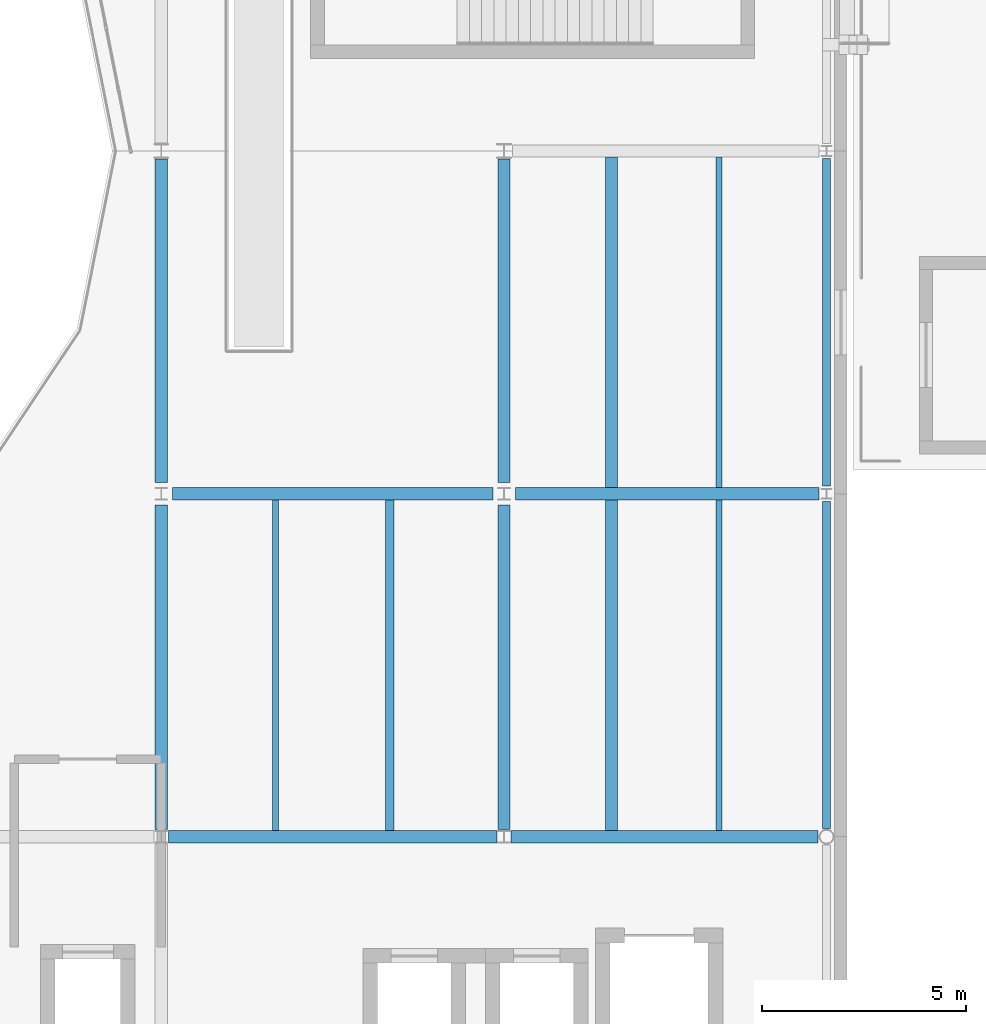
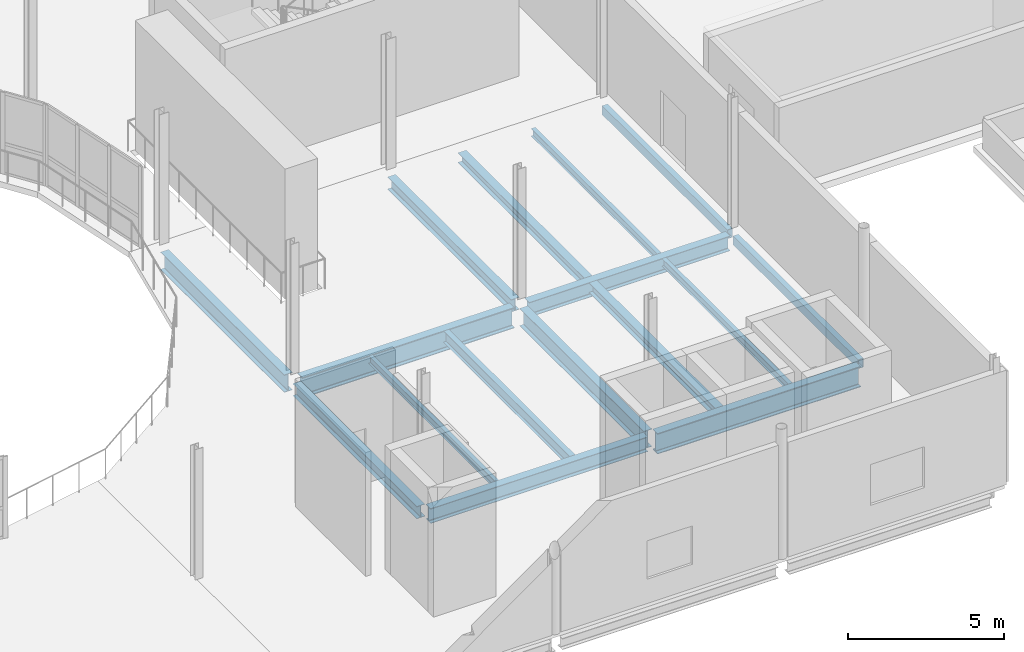
# One storey, part 25 of 91: 16 beams.
"""IFC4 building model written with IfcOpenShell, lengths in metres."""

from ifc_helpers import new_model, si_unit, direction, frame, origin, origin_2d, place, context, subcontext, project, spatial, hollow_rectangle, i_section, extrude, material, material_profile, profile_set, type_object, element, save


model = new_model("IFC4")

# Units and contexts
model_context = context("Model", 3, precision=1e-05, world=origin(), true_north=direction((0.0, 1.0)))
body_context = subcontext(model_context, "Body", "Model", "MODEL_VIEW")
ifc_project = project(units=[si_unit("LENGTHUNIT", "METRE"), si_unit("AREAUNIT", "SQUARE_METRE"), si_unit("VOLUMEUNIT", "CUBIC_METRE"), si_unit("PLANEANGLEUNIT", "RADIAN"), si_unit("MASSUNIT", "GRAM", prefix="KILO"), si_unit("THERMODYNAMICTEMPERATUREUNIT", "KELVIN")], contexts=[model_context])

# Site, building, storey
site_placement = place(None, origin())
site = spatial("IfcSite", under=ifc_project, at=site_placement, CompositionType="ELEMENT")
building_placement = place(site_placement, origin())
building = spatial("IfcBuilding", under=site, at=building_placement, Name="Lustrewick Department Store", CompositionType="ELEMENT")
storey_placement = place(building_placement, frame((0.0, 0.0, 21.60009765625)))
storey = spatial("IfcBuildingStorey", under=building, at=storey_placement, Name="L05", CompositionType="ELEMENT", Elevation=21.60009765625)

# Beams
ifc_material_1 = material(Name="Structural steel Q355B", Category="steel")
ifc_material_profile_1 = material_profile(ifc_material_1, i_section(OverallWidth=0.199951171875, OverallDepth=0.449951171875, WebThickness=0.009033203125, FlangeThickness=0.013916015625, FilletRadius=0.01611328125, at=origin_2d()), Name="HN 450x200x9x14")
ifc_profile_set_1 = profile_set([ifc_material_profile_1], Name="Structural steel Q355B")
beam_type_1 = type_object("IfcBeamType", Name="B03", PredefinedType="JOIST", material=ifc_profile_set_1)
beam_1_placement = place(storey_placement, frame((47.60009765625, 50.550048828125, -0.47998046875), z_axis=(0.0, 1.0, 0.0), x_axis=(-1.0, 0.0, 0.0)))
element("IfcBeam", 1, at=beam_1_placement, inside=storey, type_object=beam_type_1, Name="L05 V1 Secondary Joist B03", PredefinedType="JOIST", context=body_context, shape_type="SweptSolid", body=[
    extrude(i_section(OverallWidth=0.199951171875, OverallDepth=0.449951171875, WebThickness=0.009033203125, FlangeThickness=0.013916015625, FilletRadius=0.01611328125, at=origin_2d()), origin(), (0.0, 0.0, 1.0), 8.098876953125),
])
ifc_material_profile_2 = material_profile(ifc_material_1, i_section(OverallWidth=0.300048828125, OverallDepth=0.389892578125, WebThickness=0.010009765625, FlangeThickness=0.01611328125, FilletRadius=0.01806640625, at=origin_2d()), Name="HM 390x300x10x16")
ifc_profile_set_2 = profile_set([ifc_material_profile_2], Name="Structural steel Q355B")
beam_type_2 = type_object("IfcBeamType", Name="B07", PredefinedType="JOIST", material=ifc_profile_set_2)
beam_2_placement = place(storey_placement, frame((53.033203125, 50.551025390625, -0.4501953125), z_axis=(0.0, 1.0, 0.0), x_axis=(-1.0, 0.0, 0.0)))
element("IfcBeam", 2, at=beam_2_placement, inside=storey, type_object=beam_type_2, Name="L05 V1 Secondary Joist B07", PredefinedType="JOIST", context=body_context, shape_type="SweptSolid", body=[
    extrude(i_section(OverallWidth=0.300048828125, OverallDepth=0.389892578125, WebThickness=0.010009765625, FlangeThickness=0.01611328125, FilletRadius=0.01806640625, at=origin_2d()), origin(), (0.0, 0.0, 1.0), 8.098876953125),
])
beam_3_placement = place(storey_placement, frame((53.033203125, 58.949951171875, -0.4501953125), z_axis=(0.0, 1.0, 0.0), x_axis=(-1.0, 0.0, 0.0)))
element("IfcBeam", 3, at=beam_3_placement, inside=storey, type_object=beam_type_2, Name="L05 V1 Secondary Joist B07", PredefinedType="JOIST", context=body_context, shape_type="SweptSolid", body=[
    extrude(i_section(OverallWidth=0.300048828125, OverallDepth=0.389892578125, WebThickness=0.010009765625, FlangeThickness=0.01611328125, FilletRadius=0.01806640625, at=origin_2d()), origin(), (0.0, 0.0, 1.0), 8.09912109375),
])
ifc_material_profile_3 = material_profile(ifc_material_1, i_section(OverallWidth=0.14990234375, OverallDepth=0.300048828125, WebThickness=0.006591796875, FlangeThickness=0.009033203125, FilletRadius=0.011962890625, at=origin_2d()), Name="HN 300x150x6.5x9")
ifc_profile_set_3 = profile_set([ifc_material_profile_3], Name="Structural steel Q355B")
beam_type_3 = type_object("IfcBeamType", Name="B11", PredefinedType="JOIST", material=ifc_profile_set_3)
beam_4_placement = place(storey_placement, frame((55.666748046875, 50.551025390625, -0.405029296875), z_axis=(0.0, 1.0, 0.0), x_axis=(-1.0, 0.0, 0.0)))
element("IfcBeam", 4, at=beam_4_placement, inside=storey, type_object=beam_type_3, Name="L05 V1 Secondary Joist B11", PredefinedType="JOIST", context=body_context, shape_type="SweptSolid", body=[
    extrude(i_section(OverallWidth=0.14990234375, OverallDepth=0.300048828125, WebThickness=0.006591796875, FlangeThickness=0.009033203125, FilletRadius=0.011962890625, at=origin_2d()), origin(), (0.0, 0.0, 1.0), 8.098876953125),
])
beam_5_placement = place(storey_placement, frame((55.666748046875, 58.949951171875, -0.405029296875), z_axis=(0.0, 1.0, 0.0), x_axis=(-1.0, 0.0, 0.0)))
element("IfcBeam", 5, at=beam_5_placement, inside=storey, type_object=beam_type_3, Name="L05 V1 Secondary Joist B11", PredefinedType="JOIST", context=body_context, shape_type="SweptSolid", body=[
    extrude(i_section(OverallWidth=0.14990234375, OverallDepth=0.300048828125, WebThickness=0.006591796875, FlangeThickness=0.009033203125, FilletRadius=0.011962890625, at=origin_2d()), origin(), (0.0, 0.0, 1.0), 8.09912109375),
])
ifc_material_profile_4 = material_profile(ifc_material_1, i_section(OverallWidth=0.14892578125, OverallDepth=0.298095703125, WebThickness=0.005615234375, FlangeThickness=0.008056640625, FilletRadius=0.011962890625, at=origin_2d()), Name="HN 298x149x5.5x8")
ifc_profile_set_4 = profile_set([ifc_material_profile_4], Name="Structural steel Q355B")
beam_type_4 = type_object("IfcBeamType", Name="B12", PredefinedType="JOIST", material=ifc_profile_set_4)
beam_6_placement = place(storey_placement, frame((44.800048828125, 50.550048828125, -0.404052734375), z_axis=(0.0, 1.0, 0.0), x_axis=(-1.0, 0.0, 0.0)))
element("IfcBeam", 6, at=beam_6_placement, inside=storey, type_object=beam_type_4, Name="L05 V1 Secondary Joist B12", PredefinedType="JOIST", context=body_context, shape_type="SweptSolid", body=[
    extrude(i_section(OverallWidth=0.14892578125, OverallDepth=0.298095703125, WebThickness=0.005615234375, FlangeThickness=0.008056640625, FilletRadius=0.011962890625, at=origin_2d()), origin(), (0.0, 0.0, 1.0), 8.098876953125),
])
ifc_material_2 = material(Name="Structural steel Q355C", Category="steel")
ifc_material_profile_5 = material_profile(ifc_material_2, i_section(OverallWidth=0.302001953125, OverallDepth=0.80810546875, WebThickness=0.01611328125, FlangeThickness=0.030029296875, FilletRadius=0.02197265625, at=origin_2d()), Name="HN 808x302x16x30")
ifc_profile_set_5 = profile_set([ifc_material_profile_5], Name="Structural steel Q355C")
beam_type_5 = type_object("IfcBeamType", Name="G04", PredefinedType="BEAM", material=ifc_profile_set_5)
beam_7_placement = place(storey_placement, frame((50.574951171875, 50.39990234375, -0.6591796875), z_axis=(1.0, 0.0, 0.0), x_axis=(0.0, 1.0, 0.0)))
element("IfcBeam", 7, at=beam_7_placement, inside=storey, type_object=beam_type_5, Name="L05 V1 Girder G04", PredefinedType="BEAM", context=body_context, shape_type="SweptSolid", body=[
    extrude(i_section(OverallWidth=0.302001953125, OverallDepth=0.80810546875, WebThickness=0.01611328125, FlangeThickness=0.030029296875, FilletRadius=0.02197265625, at=origin_2d()), origin(), (0.0, 0.0, 1.0), 7.52197265625),
])
beam_8_placement = place(storey_placement, frame((42.27490234375, 58.800048828125, -0.6591796875), z_axis=(1.0, 0.0, 0.0), x_axis=(0.0, 1.0, 0.0)))
element("IfcBeam", 8, at=beam_8_placement, inside=storey, type_object=beam_type_5, Name="L05 V1 Girder G04", PredefinedType="BEAM", context=body_context, shape_type="SweptSolid", body=[
    extrude(i_section(OverallWidth=0.302001953125, OverallDepth=0.80810546875, WebThickness=0.01611328125, FlangeThickness=0.030029296875, FilletRadius=0.02197265625, at=origin_2d()), origin(), (0.0, 0.0, 1.0), 7.85009765625),
])
ifc_material_profile_6 = material_profile(ifc_material_1, i_section(OverallWidth=0.300048828125, OverallDepth=0.69189453125, WebThickness=0.012939453125, FlangeThickness=0.02001953125, FilletRadius=0.02001953125, at=origin_2d()), Name="HN 692x300x13x20")
ifc_profile_set_6 = profile_set([ifc_material_profile_6], Name="Structural steel Q355B")
beam_type_6 = type_object("IfcBeamType", Name="G09", PredefinedType="BEAM", material=ifc_profile_set_6)
beam_9_placement = place(storey_placement, frame((42.0, 59.074951171875, -0.60107421875), z_axis=(0.0, 1.0, 0.0), x_axis=(-1.0, 0.0, 0.0)))
element("IfcBeam", 9, at=beam_9_placement, inside=storey, type_object=beam_type_6, Name="L05 V1 Girder G09", PredefinedType="BEAM", context=body_context, shape_type="SweptSolid", body=[
    extrude(i_section(OverallWidth=0.300048828125, OverallDepth=0.69189453125, WebThickness=0.012939453125, FlangeThickness=0.02001953125, FilletRadius=0.02001953125, at=origin_2d()), origin(), (0.0, 0.0, 1.0), 7.93115234375),
])
beam_10_placement = place(storey_placement, frame((50.39990234375, 50.574951171875, -0.60107421875), z_axis=(0.0, 1.0, 0.0), x_axis=(-1.0, 0.0, 0.0)))
element("IfcBeam", 10, at=beam_10_placement, inside=storey, type_object=beam_type_6, Name="L05 V1 Girder G09", PredefinedType="BEAM", context=body_context, shape_type="SweptSolid", body=[
    extrude(i_section(OverallWidth=0.300048828125, OverallDepth=0.69189453125, WebThickness=0.012939453125, FlangeThickness=0.02001953125, FilletRadius=0.02001953125, at=origin_2d()), origin(), (0.0, 0.0, 1.0), 7.949951171875),
])
ifc_material_profile_7 = material_profile(ifc_material_1, i_section(OverallWidth=0.300048828125, OverallDepth=0.58203125, WebThickness=0.011962890625, FlangeThickness=0.01708984375, FilletRadius=0.02392578125, at=origin_2d()), Name="HM 582x300x12x17")
ifc_profile_set_7 = profile_set([ifc_material_profile_7], Name="Structural steel Q355B")
beam_type_7 = type_object("IfcBeamType", Name="G12", PredefinedType="BEAM", material=ifc_profile_set_7)
beam_11_placement = place(storey_placement, frame((42.175048828125, 50.39990234375, -0.546142578125), z_axis=(1.0, 0.0, 0.0), x_axis=(0.0, 1.0, 0.0)))
element("IfcBeam", 11, at=beam_11_placement, inside=storey, type_object=beam_type_7, Name="L05 V1 Girder G12", PredefinedType="BEAM", context=body_context, shape_type="SweptSolid", body=[
    extrude(i_section(OverallWidth=0.300048828125, OverallDepth=0.58203125, WebThickness=0.011962890625, FlangeThickness=0.01708984375, FilletRadius=0.02392578125, at=origin_2d()), origin(), (0.0, 0.0, 1.0), 8.050048828125),
])
beam_12_placement = place(storey_placement, frame((50.675048828125, 58.800048828125, -0.546142578125), z_axis=(1.0, 0.0, 0.0), x_axis=(0.0, 1.0, 0.0)))
element("IfcBeam", 12, at=beam_12_placement, inside=storey, type_object=beam_type_7, Name="L05 V1 Girder G12", PredefinedType="BEAM", context=body_context, shape_type="SweptSolid", body=[
    extrude(i_section(OverallWidth=0.300048828125, OverallDepth=0.58203125, WebThickness=0.011962890625, FlangeThickness=0.01708984375, FilletRadius=0.02392578125, at=origin_2d()), origin(), (0.0, 0.0, 1.0), 7.4365234375),
])
ifc_material_profile_8 = material_profile(ifc_material_1, i_section(OverallWidth=0.300048828125, OverallDepth=0.48193359375, WebThickness=0.010986328125, FlangeThickness=0.014892578125, FilletRadius=0.02197265625, at=origin_2d()), Name="HM 482x300x11x15")
ifc_profile_set_8 = profile_set([ifc_material_profile_8], Name="Structural steel Q355B")
beam_type_8 = type_object("IfcBeamType", Name="G20", PredefinedType="BEAM", material=ifc_profile_set_8)
beam_13_placement = place(storey_placement, frame((42.0, 50.574951171875, -0.49609375), z_axis=(0.0, 1.0, 0.0), x_axis=(-1.0, 0.0, 0.0)))
element("IfcBeam", 13, at=beam_13_placement, inside=storey, type_object=beam_type_8, Name="L05 V1 Girder G20", PredefinedType="BEAM", context=body_context, shape_type="SweptSolid", body=[
    extrude(i_section(OverallWidth=0.300048828125, OverallDepth=0.48193359375, WebThickness=0.010986328125, FlangeThickness=0.014892578125, FilletRadius=0.02197265625, at=origin_2d()), origin(), (0.0, 0.0, 1.0), 7.949951171875),
])
beam_14_placement = place(storey_placement, frame((50.39990234375, 59.074951171875, -0.49609375), z_axis=(0.0, 1.0, 0.0), x_axis=(-1.0, 0.0, 0.0)))
element("IfcBeam", 14, at=beam_14_placement, inside=storey, type_object=beam_type_8, Name="L05 V1 Girder G20", PredefinedType="BEAM", context=body_context, shape_type="SweptSolid", body=[
    extrude(i_section(OverallWidth=0.300048828125, OverallDepth=0.48193359375, WebThickness=0.010986328125, FlangeThickness=0.014892578125, FilletRadius=0.02197265625, at=origin_2d()), origin(), (0.0, 0.0, 1.0), 7.93115234375),
])
ifc_material_profile_9 = material_profile(ifc_material_2, hollow_rectangle(XDim=0.199951171875, YDim=0.35009765625, WallThickness=0.011962890625, at=origin_2d()), Name="RHS 350x200x12")
ifc_profile_set_9 = profile_set([ifc_material_profile_9], Name="Structural steel Q355C")
beam_type_9 = type_object("IfcBeamType", Name="SP03", PredefinedType="SPANDREL", material=ifc_profile_set_9)
beam_15_placement = place(storey_placement, frame((58.300048828125, 50.60302734375, -0.43017578125), z_axis=(0.0, 1.0, 0.0), x_axis=(-1.0, 0.0, 0.0)))
element("IfcBeam", 15, at=beam_15_placement, inside=storey, type_object=beam_type_9, Name="L05 V1 Girder SP03", PredefinedType="SPANDREL", context=body_context, shape_type="SweptSolid", body=[
    extrude(hollow_rectangle(XDim=0.199951171875, YDim=0.35009765625, WallThickness=0.011962890625, at=origin_2d()), origin(), (0.0, 0.0, 1.0), 8.008544921875),
])
beam_16_placement = place(storey_placement, frame((58.300048828125, 58.988525390625, -0.43017578125), z_axis=(0.0, 1.0, 0.0), x_axis=(-1.0, 0.0, 0.0)))
element("IfcBeam", 16, at=beam_16_placement, inside=storey, type_object=beam_type_9, Name="L05 V1 Girder SP03", PredefinedType="SPANDREL", context=body_context, shape_type="SweptSolid", body=[
    extrude(hollow_rectangle(XDim=0.199951171875, YDim=0.35009765625, WallThickness=0.011962890625, at=origin_2d()), origin(), (0.0, 0.0, 1.0), 8.02294921875),
])

save(model, "model.ifc")
